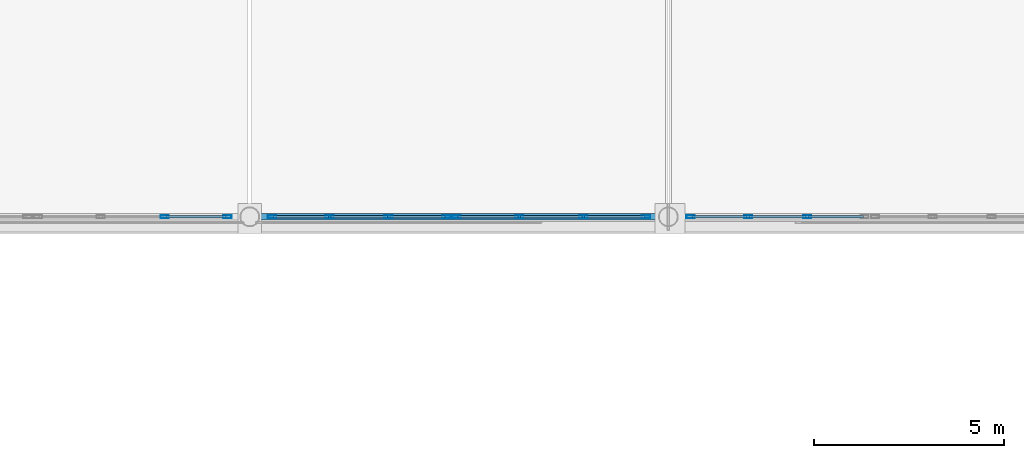
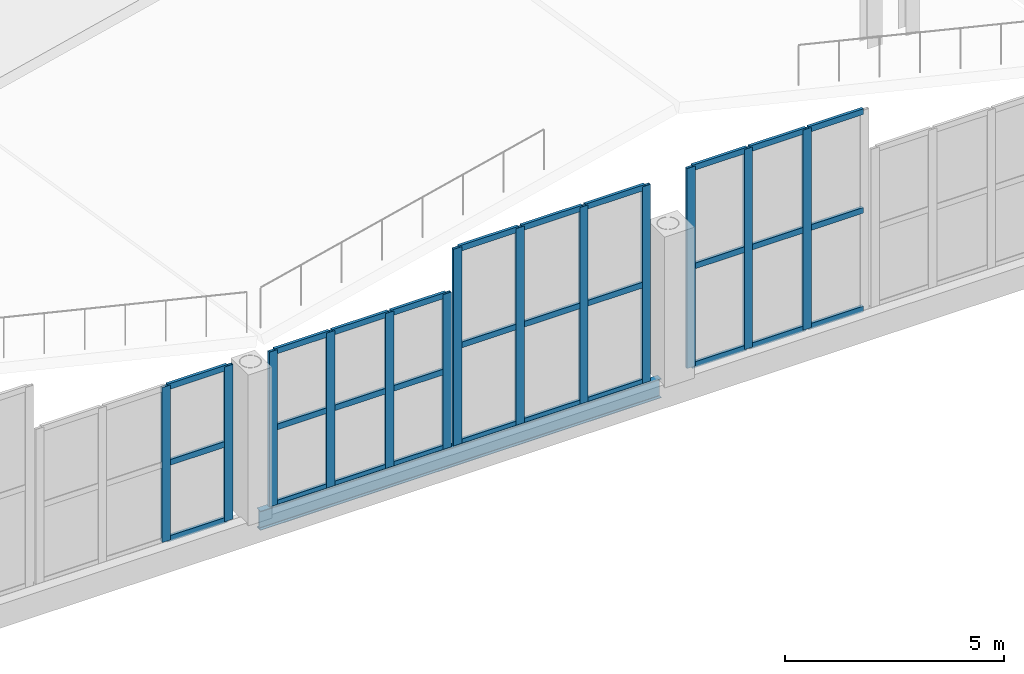
# One storey, part 33 of 120: 43 members, 1 beam, 4 elements without a shape of their own.
"""IFC4 building model written with IfcOpenShell, lengths in metres."""

import ifcopenshell
import ifcopenshell.guid

model = None  # the IFC model being written
_history = None  # IfcOwnerHistory: only IFC2X3 demands one
_inside = {}  # id of a spatial element -> (the spatial element, [elements in it])
_under = {}  # id of a project, library or spatial element -> (it, [spatial elements below it])
_declared = {}  # id of a project -> (the project, [libraries it declares])
_typed = {}  # id of a type object -> (the type object, [elements of that type])
_made_of = {}  # id of a material, layer set ... -> (it, [elements and type objects made of it])


def new_model(schema):
    """Start an empty IFC model of exactly this schema.

    Asked for "IFC4X3", IfcOpenShell would pick the latest addendum, in which some entities
    have other attributes; the version numbers below select the first issue.
    IFC2X3 requires an IfcOwnerHistory on every rooted entity: one is made here for all.
    """
    global model, _history
    if schema == "IFC4X3":
        model = ifcopenshell.file(schema_version=(4, 3, 0, 0))
    else:
        model = ifcopenshell.file(schema=schema)
    _inside.clear()
    _under.clear()
    _declared.clear()
    _typed.clear()
    _made_of.clear()
    _history = None
    if model.schema == "IFC2X3":
        org = make("IfcOrganization", Name="unknown")
        user = make(
            "IfcPersonAndOrganization",
            ThePerson=make("IfcPerson", FamilyName="unknown"),
            TheOrganization=org,
        )
        app = make(
            "IfcApplication",
            ApplicationDeveloper=org,
            Version="unknown",
            ApplicationFullName="unknown",
            ApplicationIdentifier="unknown",
        )
        _history = make(
            "IfcOwnerHistory",
            OwningUser=user,
            OwningApplication=app,
            ChangeAction="ADDED",
            CreationDate=0,
        )
    return model


def make(cls, **values):
    """One entity of the class cls with the attributes given. An attribute that is None is left unset."""
    return model.create_entity(
        cls, **{name: value for name, value in values.items() if value is not None}
    )


def rooted(cls, **values):
    """An entity with a GlobalId (a new one), such as an element, a storey or a relation."""
    return make(cls, GlobalId=ifcopenshell.guid.new(), OwnerHistory=_history, **values)


def si_unit(unit_type, name, prefix=None):
    """IfcSIUnit, for example si_unit("LENGTHUNIT", "METRE", prefix="MILLI")."""
    return make("IfcSIUnit", UnitType=unit_type, Prefix=prefix, Name=name)


def assignment(units):
    """IfcUnitAssignment: the units of a project."""
    return None if units is None else make("IfcUnitAssignment", Units=units)


def point(xyz):
    """IfcCartesianPoint."""
    return None if xyz is None else make("IfcCartesianPoint", Coordinates=xyz)


def direction(xyz):
    """IfcDirection."""
    return None if xyz is None else make("IfcDirection", DirectionRatios=xyz)


def frame(location, z_axis=None, x_axis=None):
    """IfcAxis2Placement3D, a coordinate frame: its origin and axes. An axis left out is left unset."""
    return make(
        "IfcAxis2Placement3D",
        Location=point(location),
        Axis=direction(z_axis),
        RefDirection=direction(x_axis),
    )


def frame_2d(location, x_axis=None):
    """IfcAxis2Placement2D, a coordinate frame in the plane: its origin and x axis."""
    return make(
        "IfcAxis2Placement2D", Location=point(location), RefDirection=direction(x_axis)
    )


def origin():
    """The frame at (0, 0, 0) with its axes left unset."""
    return frame((0.0, 0.0, 0.0))


def origin_2d():
    """The frame at (0, 0) in the plane with its x axis left unset."""
    return frame_2d((0.0, 0.0))


def place(relative_to, where):
    """IfcLocalPlacement: puts the frame where relative to a parent placement (None: the world)."""
    return make(
        "IfcLocalPlacement", PlacementRelTo=relative_to, RelativePlacement=where
    )


def context(
    kind, dimensions, precision=None, world=None, true_north=None, identifier=None
):
    """IfcGeometricRepresentationContext, for example the 3D "Model" context."""
    return make(
        "IfcGeometricRepresentationContext",
        ContextIdentifier=identifier,
        ContextType=kind,
        CoordinateSpaceDimension=dimensions,
        Precision=precision,
        WorldCoordinateSystem=world,
        TrueNorth=true_north,
    )


def subcontext(parent, identifier, kind, view, scale=None):
    """IfcGeometricRepresentationSubContext, for example "Body" below "Model"."""
    return make(
        "IfcGeometricRepresentationSubContext",
        ContextIdentifier=identifier,
        ContextType=kind,
        ParentContext=parent,
        TargetScale=scale,
        TargetView=view,
    )


def project(units=None, contexts=None):
    """IfcProject with its units and contexts."""
    return rooted(
        "IfcProject",
        Name="project",
        RepresentationContexts=contexts,
        UnitsInContext=assignment(units),
    )


def spatial(cls, under=None, at=None, **own):
    """A site, building, storey or space (cls), placed at a placement, below another one or the project."""
    s = rooted(cls, ObjectPlacement=at, **own)
    if under is not None:
        _under.setdefault(under.id(), (under, []))[1].append(s)
    return s


def profile(cls, at=None, kind="AREA", **sizes):
    """A parametric profile (cls). Its sizes go by their IFC names, for example OverallWidth=200.0."""
    return make(cls, ProfileType=kind, Position=at, **sizes)


def hollow_rectangle(**sizes):
    """IfcRectangleHollowProfileDef."""
    return profile("IfcRectangleHollowProfileDef", **sizes)


def i_section(**sizes):
    """IfcIShapeProfileDef."""
    return profile("IfcIShapeProfileDef", **sizes)


def extrude(swept, where, along, depth):
    """IfcExtrudedAreaSolid: the profile swept, set in the frame where, extruded along a direction by depth."""
    return make(
        "IfcExtrudedAreaSolid",
        SweptArea=swept,
        Position=where,
        ExtrudedDirection=direction(along),
        Depth=depth,
    )


def shape(context_of_items, identifier, shape_type, items):
    """IfcShapeRepresentation: the items that make up one representation, for example the "Body"."""
    return make(
        "IfcShapeRepresentation",
        ContextOfItems=context_of_items,
        RepresentationIdentifier=identifier,
        RepresentationType=shape_type,
        Items=items,
    )


def material(Name=None, Category=None):
    """IfcMaterial."""
    return make("IfcMaterial", Name=Name, Category=Category)


def material_profile(
    of_material, cross_section, Name=None, Category=None, Priority=None
):
    """IfcMaterialProfile: a cross section and its material."""
    return make(
        "IfcMaterialProfile",
        Name=Name,
        Material=of_material,
        Profile=cross_section,
        Priority=Priority,
        Category=Category,
    )


def profile_set(profiles, Name=None, composite=None):
    """IfcMaterialProfileSet."""
    return make(
        "IfcMaterialProfileSet",
        Name=Name,
        MaterialProfiles=profiles,
        CompositeProfile=composite,
    )


def made_of(thing, what):
    """Note that an element or type object is made of a material, layer set ...; save() writes the relation."""
    if what is not None:
        _made_of.setdefault(what.id(), (what, []))[1].append(thing)
    return thing


def type_object(cls, material=None, **own):
    """A type object (cls), such as IfcWallType, which elements share."""
    return made_of(rooted(cls, **own), material)


def element(
    cls,
    number,
    at=None,
    inside=None,
    cuts=None,
    type_object=None,
    material=None,
    context=None,
    identifier="Body",
    shape_type=None,
    held_by="IfcProductDefinitionShape",
    body=None,
    shapes=None,
    **own,
):
    """One element of the class cls, such as IfcWall. Its Tag is "e" and its number.

    at: its placement. inside: the storey or other place that contains it. cuts: it is an
    opening in that element (IfcRelVoidsElement). A single representation is given by context,
    identifier, shape_type and body (its items); several are given by shapes. held_by: the class
    of the entity that holds the representations. save() writes the other relations.
    """
    e = rooted(cls, Tag="e%d" % number, ObjectPlacement=at, **own)
    if body is not None:
        shapes = [shape(context, identifier, shape_type, body)]
    if shapes is not None:
        e.Representation = make(held_by, Representations=shapes)
    if inside is not None:
        _inside.setdefault(inside.id(), (inside, []))[1].append(e)
    if cuts is not None:
        rooted(
            "IfcRelVoidsElement", RelatingBuildingElement=cuts, RelatedOpeningElement=e
        )
    if type_object is not None:
        _typed.setdefault(type_object.id(), (type_object, []))[1].append(e)
    return made_of(e, material)


def aggregate(whole, parts):
    """IfcRelAggregates: a whole, such as a stair, and the parts it consists of."""
    return rooted("IfcRelAggregates", RelatingObject=whole, RelatedObjects=parts)


def save(model, path):
    """Write the relations noted so far, then the file.

    IfcRelAggregates (storeys below a building ...), IfcRelContainedInSpatialStructure (elements
    in a storey), IfcRelDefinesByType, IfcRelAssociatesMaterial and IfcRelDeclares: one each for
    every whole, place, type object, material and project.
    """
    for whole, parts in _under.values():
        aggregate(whole, parts)
    for where, things in _inside.values():
        rooted(
            "IfcRelContainedInSpatialStructure",
            RelatedElements=things,
            RelatingStructure=where,
        )
    for kind, things in _typed.values():
        rooted("IfcRelDefinesByType", RelatedObjects=things, RelatingType=kind)
    for what, things in _made_of.values():
        rooted("IfcRelAssociatesMaterial", RelatedObjects=things, RelatingMaterial=what)
    for by, libraries in _declared.values():
        rooted("IfcRelDeclares", RelatingContext=by, RelatedDefinitions=libraries)
    model.write(path)


model = new_model("IFC4")

# Units and contexts
model_context = context("Model", 3, precision=1e-05, world=origin(), true_north=direction((0.0, 1.0)))
body_context = subcontext(model_context, "Body", "Model", "MODEL_VIEW")
ifc_project = project(units=[si_unit("LENGTHUNIT", "METRE"), si_unit("AREAUNIT", "SQUARE_METRE"), si_unit("VOLUMEUNIT", "CUBIC_METRE"), si_unit("PLANEANGLEUNIT", "RADIAN"), si_unit("MASSUNIT", "GRAM", prefix="KILO")], contexts=[model_context])

# Site, building, storey
site_placement = place(None, origin())
site = spatial("IfcSite", under=ifc_project, at=site_placement, CompositionType="ELEMENT")
building_placement = place(site_placement, origin())
building = spatial("IfcBuilding", under=site, at=building_placement, Name="Caurita Quay Ferry Terminal", CompositionType="ELEMENT")
storey_placement = place(building_placement, frame((0.0, 0.0, 9.89990234375)))
storey = spatial("IfcBuildingStorey", under=building, at=storey_placement, Name="L02", CompositionType="ELEMENT", Elevation=9.89990234375)

# Beam
ifc_material_1 = material(Name="Structural steel ASTM A992 Gr. 50", Category="steel")
ifc_material_profile_1 = material_profile(ifc_material_1, i_section(OverallWidth=0.16650390625, OverallDepth=0.535888671875, WebThickness=0.01025390625, FlangeThickness=0.0166015625, FilletRadius=0.013916015625, at=origin_2d()), Name="W21X57")
ifc_profile_set_1 = profile_set([ifc_material_profile_1], Name="Structural steel ASTM A992 Gr. 50")
beam_type = type_object("IfcBeamType", Name="BM-SP-W21B", PredefinedType="SPANDREL", material=ifc_profile_set_1)
beam_placement = place(storey_placement, frame((66.219970703125, 34.60009765625, -0.267822265625), z_axis=(1.0, 0.0, 0.0), x_axis=(0.0, 1.0, 0.0)))
element("IfcBeam", 1, at=beam_placement, inside=storey, type_object=beam_type, Name="V1 Waterside Clerestory Sill Spandrel 66", PredefinedType="SPANDREL", context=body_context, shape_type="SweptSolid", body=[
    extrude(i_section(OverallWidth=0.16650390625, OverallDepth=0.535888671875, WebThickness=0.01025390625, FlangeThickness=0.0166015625, FilletRadius=0.013916015625, at=origin_2d()), origin(), (0.0, 0.0, 1.0), 10.56005859375),
])

# Curtain wall, members
ifc_material_2 = material(Name="Laminated solar-control insulated glass", Category="glass")
curtain_wall_type_1 = type_object("IfcCurtainWallType", Name="CW-SYS-04", PredefinedType="NOTDEFINED", material=ifc_material_2)
curtain_wall_1_placement = place(storey_placement, origin())
curtain_wall_1 = element("IfcCurtainWall", 2, at=curtain_wall_1_placement, inside=storey, type_object=curtain_wall_type_1, Name="Folded Roof Clerestory FB-03-S4", PredefinedType="NOTDEFINED")
ifc_material_3 = material(Name="Anodized aluminium 6063-T6", Category="aluminium")
ifc_material_profile_2 = material_profile(ifc_material_3, hollow_rectangle(XDim=0.074951171875, YDim=0.219970703125, WallThickness=0.00390625, at=origin_2d()), Name="ALU-MUL-75X220")
ifc_profile_set_2 = profile_set([ifc_material_profile_2], Name="Anodized aluminium 6063-T6")
member_type_1 = type_object("IfcMemberType", Name="CW-MUL-220", PredefinedType="MULLION", material=ifc_profile_set_2)
member_1_placement = place(storey_placement, frame((63.7666015625, 34.60009765625, 0.0), z_axis=(0.0, 0.0, 1.0), x_axis=(0.0, 1.0, 0.0)))
member_1 = element("IfcMember", 3, at=member_1_placement, type_object=member_type_1, Name="CW-CLR-020 Mullion 3", PredefinedType="MULLION", context=body_context, shape_type="SweptSolid", body=[
    extrude(hollow_rectangle(XDim=0.074951171875, YDim=0.219970703125, WallThickness=0.00390625, at=origin_2d()), origin(), (0.0, 0.0, 1.0), 4.31298828125),
])
member_2_placement = place(storey_placement, frame((65.41259765625, 34.60009765625, 0.0), z_axis=(0.0, 0.0, 1.0), x_axis=(0.0, 1.0, 0.0)))
member_2 = element("IfcMember", 4, at=member_2_placement, type_object=member_type_1, Name="CW-CLR-020 Mullion 4", PredefinedType="MULLION", context=body_context, shape_type="SweptSolid", body=[
    extrude(hollow_rectangle(XDim=0.074951171875, YDim=0.219970703125, WallThickness=0.00390625, at=origin_2d()), origin(), (0.0, 0.0, 1.0), 4.31298828125),
])

curtain_wall_type_2 = type_object("IfcCurtainWallType", Name="CW-SYS-01", PredefinedType="NOTDEFINED", material=ifc_material_2)
curtain_wall_2_placement = place(storey_placement, origin())
curtain_wall_2 = element("IfcCurtainWall", 5, at=curtain_wall_2_placement, inside=storey, type_object=curtain_wall_type_2, Name="Folded Roof Clerestory FB-04-S1", PredefinedType="NOTDEFINED")
member_3_placement = place(storey_placement, frame((66.58740234375, 34.60009765625, 0.0), z_axis=(0.0, 0.0, 1.0), x_axis=(0.0, 1.0, 0.0)))
member_3 = element("IfcMember", 6, at=member_3_placement, type_object=member_type_1, Name="CW-CLR-025 Mullion 1", PredefinedType="MULLION", context=body_context, shape_type="SweptSolid", body=[
    extrude(hollow_rectangle(XDim=0.074951171875, YDim=0.219970703125, WallThickness=0.00390625, at=origin_2d()), origin(), (0.0, 0.0, 1.0), 4.31298828125),
])
member_4_placement = place(storey_placement, frame((68.10009765625, 34.60009765625, 0.0), z_axis=(0.0, 0.0, 1.0), x_axis=(0.0, 1.0, 0.0)))
member_4 = element("IfcMember", 7, at=member_4_placement, type_object=member_type_1, Name="CW-CLR-025 Mullion 2", PredefinedType="MULLION", context=body_context, shape_type="SweptSolid", body=[
    extrude(hollow_rectangle(XDim=0.074951171875, YDim=0.219970703125, WallThickness=0.00390625, at=origin_2d()), origin(), (0.0, 0.0, 1.0), 4.31298828125),
])
member_5_placement = place(storey_placement, frame((69.64990234375, 34.60009765625, 0.0), z_axis=(0.0, 0.0, 1.0), x_axis=(0.0, 1.0, 0.0)))
member_5 = element("IfcMember", 8, at=member_5_placement, type_object=member_type_1, Name="CW-CLR-025 Mullion 3", PredefinedType="MULLION", context=body_context, shape_type="SweptSolid", body=[
    extrude(hollow_rectangle(XDim=0.074951171875, YDim=0.219970703125, WallThickness=0.00390625, at=origin_2d()), origin(), (0.0, 0.0, 1.0), 4.31298828125),
])
member_6_placement = place(storey_placement, frame((71.16259765625, 34.60009765625, 0.0), z_axis=(0.0, 0.0, 1.0), x_axis=(0.0, 1.0, 0.0)))
member_6 = element("IfcMember", 9, at=member_6_placement, type_object=member_type_1, Name="CW-CLR-025 Mullion 4", PredefinedType="MULLION", context=body_context, shape_type="SweptSolid", body=[
    extrude(hollow_rectangle(XDim=0.074951171875, YDim=0.219970703125, WallThickness=0.00390625, at=origin_2d()), origin(), (0.0, 0.0, 1.0), 4.31298828125),
])

curtain_wall_type_3 = type_object("IfcCurtainWallType", Name="CW-SYS-02", PredefinedType="NOTDEFINED", material=ifc_material_2)
curtain_wall_3_placement = place(storey_placement, origin())
curtain_wall_3 = element("IfcCurtainWall", 10, at=curtain_wall_3_placement, inside=storey, type_object=curtain_wall_type_3, Name="Folded Roof Clerestory FB-04-S2", PredefinedType="NOTDEFINED")
member_7_placement = place(storey_placement, frame((71.4375, 34.60009765625, 0.0), z_axis=(0.0, 0.0, 1.0), x_axis=(0.0, 1.0, 0.0)))
member_7 = element("IfcMember", 11, at=member_7_placement, type_object=member_type_1, Name="CW-CLR-026 Mullion 1", PredefinedType="MULLION", context=body_context, shape_type="SweptSolid", body=[
    extrude(hollow_rectangle(XDim=0.074951171875, YDim=0.219970703125, WallThickness=0.00390625, at=origin_2d()), origin(), (0.0, 0.0, 1.0), 5.47705078125),
])
member_8_placement = place(storey_placement, frame((73.083251953125, 34.60009765625, 0.0), z_axis=(0.0, 0.0, 1.0), x_axis=(0.0, 1.0, 0.0)))
member_8 = element("IfcMember", 12, at=member_8_placement, type_object=member_type_1, Name="CW-CLR-026 Mullion 2", PredefinedType="MULLION", context=body_context, shape_type="SweptSolid", body=[
    extrude(hollow_rectangle(XDim=0.074951171875, YDim=0.219970703125, WallThickness=0.00390625, at=origin_2d()), origin(), (0.0, 0.0, 1.0), 5.47705078125),
])
member_9_placement = place(storey_placement, frame((74.7666015625, 34.60009765625, 0.0), z_axis=(0.0, 0.0, 1.0), x_axis=(0.0, 1.0, 0.0)))
member_9 = element("IfcMember", 13, at=member_9_placement, type_object=member_type_1, Name="CW-CLR-026 Mullion 3", PredefinedType="MULLION", context=body_context, shape_type="SweptSolid", body=[
    extrude(hollow_rectangle(XDim=0.074951171875, YDim=0.219970703125, WallThickness=0.00390625, at=origin_2d()), origin(), (0.0, 0.0, 1.0), 5.47705078125),
])
member_10_placement = place(storey_placement, frame((76.41259765625, 34.60009765625, 0.0), z_axis=(0.0, 0.0, 1.0), x_axis=(0.0, 1.0, 0.0)))
member_10 = element("IfcMember", 14, at=member_10_placement, type_object=member_type_1, Name="CW-CLR-026 Mullion 4", PredefinedType="MULLION", context=body_context, shape_type="SweptSolid", body=[
    extrude(hollow_rectangle(XDim=0.074951171875, YDim=0.219970703125, WallThickness=0.00390625, at=origin_2d()), origin(), (0.0, 0.0, 1.0), 5.47705078125),
])

curtain_wall_type_4 = type_object("IfcCurtainWallType", Name="CW-SYS-03", PredefinedType="NOTDEFINED", material=ifc_material_2)
curtain_wall_4_placement = place(storey_placement, origin())
curtain_wall_4 = element("IfcCurtainWall", 15, at=curtain_wall_4_placement, inside=storey, type_object=curtain_wall_type_4, Name="Folded Roof Clerestory FB-04-S3", PredefinedType="NOTDEFINED")
member_11_placement = place(storey_placement, frame((77.58740234375, 34.60009765625, 0.0), z_axis=(0.0, 0.0, 1.0), x_axis=(0.0, 1.0, 0.0)))
member_11 = element("IfcMember", 16, at=member_11_placement, type_object=member_type_1, Name="CW-CLR-027 Mullion 1", PredefinedType="MULLION", context=body_context, shape_type="SweptSolid", body=[
    extrude(hollow_rectangle(XDim=0.074951171875, YDim=0.219970703125, WallThickness=0.00390625, at=origin_2d()), origin(), (0.0, 0.0, 1.0), 5.572998046875),
])
member_12_placement = place(storey_placement, frame((79.10009765625, 34.60009765625, 0.0), z_axis=(0.0, 0.0, 1.0), x_axis=(0.0, 1.0, 0.0)))
member_12 = element("IfcMember", 17, at=member_12_placement, type_object=member_type_1, Name="CW-CLR-027 Mullion 2", PredefinedType="MULLION", context=body_context, shape_type="SweptSolid", body=[
    extrude(hollow_rectangle(XDim=0.074951171875, YDim=0.219970703125, WallThickness=0.00390625, at=origin_2d()), origin(), (0.0, 0.0, 1.0), 5.572998046875),
])
member_13_placement = place(storey_placement, frame((80.64990234375, 34.60009765625, 0.0), z_axis=(0.0, 0.0, 1.0), x_axis=(0.0, 1.0, 0.0)))
member_13 = element("IfcMember", 18, at=member_13_placement, type_object=member_type_1, Name="CW-CLR-027 Mullion 3", PredefinedType="MULLION", context=body_context, shape_type="SweptSolid", body=[
    extrude(hollow_rectangle(XDim=0.074951171875, YDim=0.219970703125, WallThickness=0.00390625, at=origin_2d()), origin(), (0.0, 0.0, 1.0), 5.572998046875),
])

# Member
ifc_material_profile_3 = material_profile(ifc_material_3, hollow_rectangle(XDim=0.074951171875, YDim=0.159912109375, WallThickness=0.00390625, at=origin_2d()), Name="ALU-TRN-75X160")
ifc_profile_set_3 = profile_set([ifc_material_profile_3], Name="Anodized aluminium 6063-T6")
member_type_2 = type_object("IfcMemberType", Name="CW-TRN-160", PredefinedType="USERDEFINED", material=ifc_profile_set_3)
member_14_placement = place(storey_placement, frame((63.80224609375, 34.60009765625, 0.03759765625), z_axis=(1.0, 0.0, 0.0), x_axis=(0.0, 1.0, 0.0)))
member_14 = element("IfcMember", 19, at=member_14_placement, type_object=member_type_2, Name="CW-CLR-020 Transom 7", ObjectType="TRANSOM", PredefinedType="USERDEFINED", context=body_context, shape_type="SweptSolid", body=[
    extrude(hollow_rectangle(XDim=0.074951171875, YDim=0.159912109375, WallThickness=0.00390625, at=origin_2d()), origin(), (0.0, 0.0, 1.0), 1.57470703125),
])

member_15_placement = place(storey_placement, frame((63.80224609375, 34.60009765625, 2.156494140625), z_axis=(1.0, 0.0, 0.0), x_axis=(0.0, 1.0, 0.0)))
member_15 = element("IfcMember", 20, at=member_15_placement, type_object=member_type_2, Name="CW-CLR-020 Transom 8", ObjectType="TRANSOM", PredefinedType="USERDEFINED", context=body_context, shape_type="SweptSolid", body=[
    extrude(hollow_rectangle(XDim=0.074951171875, YDim=0.159912109375, WallThickness=0.00390625, at=origin_2d()), origin(), (0.0, 0.0, 1.0), 1.57470703125),
])

member_16_placement = place(storey_placement, frame((63.80224609375, 34.60009765625, 4.275634765625), z_axis=(1.0, 0.0, 0.0), x_axis=(0.0, 1.0, 0.0)))
member_16 = element("IfcMember", 21, at=member_16_placement, type_object=member_type_2, Name="CW-CLR-020 Transom 9", ObjectType="TRANSOM", PredefinedType="USERDEFINED", context=body_context, shape_type="SweptSolid", body=[
    extrude(hollow_rectangle(XDim=0.074951171875, YDim=0.159912109375, WallThickness=0.00390625, at=origin_2d()), origin(), (0.0, 0.0, 1.0), 1.57470703125),
])

aggregate(curtain_wall_1, [member_1, member_2, member_14, member_15, member_16])

member_17_placement = place(storey_placement, frame((66.623046875, 34.60009765625, 0.03759765625), z_axis=(1.0, 0.0, 0.0), x_axis=(0.0, 1.0, 0.0)))
member_17 = element("IfcMember", 22, at=member_17_placement, type_object=member_type_2, Name="CW-CLR-025 Transom 1", ObjectType="TRANSOM", PredefinedType="USERDEFINED", context=body_context, shape_type="SweptSolid", body=[
    extrude(hollow_rectangle(XDim=0.074951171875, YDim=0.159912109375, WallThickness=0.00390625, at=origin_2d()), origin(), (0.0, 0.0, 1.0), 1.44140625),
])

member_18_placement = place(storey_placement, frame((66.623046875, 34.60009765625, 2.156494140625), z_axis=(1.0, 0.0, 0.0), x_axis=(0.0, 1.0, 0.0)))
member_18 = element("IfcMember", 23, at=member_18_placement, type_object=member_type_2, Name="CW-CLR-025 Transom 2", ObjectType="TRANSOM", PredefinedType="USERDEFINED", context=body_context, shape_type="SweptSolid", body=[
    extrude(hollow_rectangle(XDim=0.074951171875, YDim=0.159912109375, WallThickness=0.00390625, at=origin_2d()), origin(), (0.0, 0.0, 1.0), 1.44140625),
])

member_19_placement = place(storey_placement, frame((66.623046875, 34.60009765625, 4.275634765625), z_axis=(1.0, 0.0, 0.0), x_axis=(0.0, 1.0, 0.0)))
member_19 = element("IfcMember", 24, at=member_19_placement, type_object=member_type_2, Name="CW-CLR-025 Transom 3", ObjectType="TRANSOM", PredefinedType="USERDEFINED", context=body_context, shape_type="SweptSolid", body=[
    extrude(hollow_rectangle(XDim=0.074951171875, YDim=0.159912109375, WallThickness=0.00390625, at=origin_2d()), origin(), (0.0, 0.0, 1.0), 1.44140625),
])

member_20_placement = place(storey_placement, frame((68.135498046875, 34.60009765625, 0.03759765625), z_axis=(1.0, 0.0, 0.0), x_axis=(0.0, 1.0, 0.0)))
member_20 = element("IfcMember", 25, at=member_20_placement, type_object=member_type_2, Name="CW-CLR-025 Transom 4", ObjectType="TRANSOM", PredefinedType="USERDEFINED", context=body_context, shape_type="SweptSolid", body=[
    extrude(hollow_rectangle(XDim=0.074951171875, YDim=0.159912109375, WallThickness=0.00390625, at=origin_2d()), origin(), (0.0, 0.0, 1.0), 1.47900390625),
])

member_21_placement = place(storey_placement, frame((68.135498046875, 34.60009765625, 2.156494140625), z_axis=(1.0, 0.0, 0.0), x_axis=(0.0, 1.0, 0.0)))
member_21 = element("IfcMember", 26, at=member_21_placement, type_object=member_type_2, Name="CW-CLR-025 Transom 5", ObjectType="TRANSOM", PredefinedType="USERDEFINED", context=body_context, shape_type="SweptSolid", body=[
    extrude(hollow_rectangle(XDim=0.074951171875, YDim=0.159912109375, WallThickness=0.00390625, at=origin_2d()), origin(), (0.0, 0.0, 1.0), 1.47900390625),
])

member_22_placement = place(storey_placement, frame((68.135498046875, 34.60009765625, 4.275634765625), z_axis=(1.0, 0.0, 0.0), x_axis=(0.0, 1.0, 0.0)))
member_22 = element("IfcMember", 27, at=member_22_placement, type_object=member_type_2, Name="CW-CLR-025 Transom 6", ObjectType="TRANSOM", PredefinedType="USERDEFINED", context=body_context, shape_type="SweptSolid", body=[
    extrude(hollow_rectangle(XDim=0.074951171875, YDim=0.159912109375, WallThickness=0.00390625, at=origin_2d()), origin(), (0.0, 0.0, 1.0), 1.47900390625),
])

member_23_placement = place(storey_placement, frame((69.685546875, 34.60009765625, 0.03759765625), z_axis=(1.0, 0.0, 0.0), x_axis=(0.0, 1.0, 0.0)))
member_23 = element("IfcMember", 28, at=member_23_placement, type_object=member_type_2, Name="CW-CLR-025 Transom 7", ObjectType="TRANSOM", PredefinedType="USERDEFINED", context=body_context, shape_type="SweptSolid", body=[
    extrude(hollow_rectangle(XDim=0.074951171875, YDim=0.159912109375, WallThickness=0.00390625, at=origin_2d()), origin(), (0.0, 0.0, 1.0), 1.44140625),
])

member_24_placement = place(storey_placement, frame((69.685546875, 34.60009765625, 2.156494140625), z_axis=(1.0, 0.0, 0.0), x_axis=(0.0, 1.0, 0.0)))
member_24 = element("IfcMember", 29, at=member_24_placement, type_object=member_type_2, Name="CW-CLR-025 Transom 8", ObjectType="TRANSOM", PredefinedType="USERDEFINED", context=body_context, shape_type="SweptSolid", body=[
    extrude(hollow_rectangle(XDim=0.074951171875, YDim=0.159912109375, WallThickness=0.00390625, at=origin_2d()), origin(), (0.0, 0.0, 1.0), 1.44140625),
])

member_25_placement = place(storey_placement, frame((69.685546875, 34.60009765625, 4.275634765625), z_axis=(1.0, 0.0, 0.0), x_axis=(0.0, 1.0, 0.0)))
member_25 = element("IfcMember", 30, at=member_25_placement, type_object=member_type_2, Name="CW-CLR-025 Transom 9", ObjectType="TRANSOM", PredefinedType="USERDEFINED", context=body_context, shape_type="SweptSolid", body=[
    extrude(hollow_rectangle(XDim=0.074951171875, YDim=0.159912109375, WallThickness=0.00390625, at=origin_2d()), origin(), (0.0, 0.0, 1.0), 1.44140625),
])

aggregate(curtain_wall_2, [member_3, member_4, member_5, member_6, member_17, member_18, member_19, member_20, member_21, member_22, member_23, member_24, member_25])

member_26_placement = place(storey_placement, frame((71.472900390625, 34.60009765625, 0.03759765625), z_axis=(1.0, 0.0, 0.0), x_axis=(0.0, 1.0, 0.0)))
member_26 = element("IfcMember", 31, at=member_26_placement, type_object=member_type_2, Name="CW-CLR-026 Transom 1", ObjectType="TRANSOM", PredefinedType="USERDEFINED", context=body_context, shape_type="SweptSolid", body=[
    extrude(hollow_rectangle(XDim=0.074951171875, YDim=0.159912109375, WallThickness=0.00390625, at=origin_2d()), origin(), (0.0, 0.0, 1.0), 1.574951171875),
])

member_27_placement = place(storey_placement, frame((71.472900390625, 34.60009765625, 2.738525390625), z_axis=(1.0, 0.0, 0.0), x_axis=(0.0, 1.0, 0.0)))
member_27 = element("IfcMember", 32, at=member_27_placement, type_object=member_type_2, Name="CW-CLR-026 Transom 2", ObjectType="TRANSOM", PredefinedType="USERDEFINED", context=body_context, shape_type="SweptSolid", body=[
    extrude(hollow_rectangle(XDim=0.074951171875, YDim=0.159912109375, WallThickness=0.00390625, at=origin_2d()), origin(), (0.0, 0.0, 1.0), 1.574951171875),
])

member_28_placement = place(storey_placement, frame((71.472900390625, 34.60009765625, 5.439697265625), z_axis=(1.0, 0.0, 0.0), x_axis=(0.0, 1.0, 0.0)))
member_28 = element("IfcMember", 33, at=member_28_placement, type_object=member_type_2, Name="CW-CLR-026 Transom 3", ObjectType="TRANSOM", PredefinedType="USERDEFINED", context=body_context, shape_type="SweptSolid", body=[
    extrude(hollow_rectangle(XDim=0.074951171875, YDim=0.159912109375, WallThickness=0.00390625, at=origin_2d()), origin(), (0.0, 0.0, 1.0), 1.574951171875),
])

member_29_placement = place(storey_placement, frame((73.118896484375, 34.60009765625, 0.03759765625), z_axis=(1.0, 0.0, 0.0), x_axis=(0.0, 1.0, 0.0)))
member_29 = element("IfcMember", 34, at=member_29_placement, type_object=member_type_2, Name="CW-CLR-026 Transom 4", ObjectType="TRANSOM", PredefinedType="USERDEFINED", context=body_context, shape_type="SweptSolid", body=[
    extrude(hollow_rectangle(XDim=0.074951171875, YDim=0.159912109375, WallThickness=0.00390625, at=origin_2d()), origin(), (0.0, 0.0, 1.0), 1.6123046875),
])

member_30_placement = place(storey_placement, frame((73.118896484375, 34.60009765625, 2.738525390625), z_axis=(1.0, 0.0, 0.0), x_axis=(0.0, 1.0, 0.0)))
member_30 = element("IfcMember", 35, at=member_30_placement, type_object=member_type_2, Name="CW-CLR-026 Transom 5", ObjectType="TRANSOM", PredefinedType="USERDEFINED", context=body_context, shape_type="SweptSolid", body=[
    extrude(hollow_rectangle(XDim=0.074951171875, YDim=0.159912109375, WallThickness=0.00390625, at=origin_2d()), origin(), (0.0, 0.0, 1.0), 1.6123046875),
])

member_31_placement = place(storey_placement, frame((73.118896484375, 34.60009765625, 5.439697265625), z_axis=(1.0, 0.0, 0.0), x_axis=(0.0, 1.0, 0.0)))
member_31 = element("IfcMember", 36, at=member_31_placement, type_object=member_type_2, Name="CW-CLR-026 Transom 6", ObjectType="TRANSOM", PredefinedType="USERDEFINED", context=body_context, shape_type="SweptSolid", body=[
    extrude(hollow_rectangle(XDim=0.074951171875, YDim=0.159912109375, WallThickness=0.00390625, at=origin_2d()), origin(), (0.0, 0.0, 1.0), 1.6123046875),
])

member_32_placement = place(storey_placement, frame((74.80224609375, 34.60009765625, 0.03759765625), z_axis=(1.0, 0.0, 0.0), x_axis=(0.0, 1.0, 0.0)))
member_32 = element("IfcMember", 37, at=member_32_placement, type_object=member_type_2, Name="CW-CLR-026 Transom 7", ObjectType="TRANSOM", PredefinedType="USERDEFINED", context=body_context, shape_type="SweptSolid", body=[
    extrude(hollow_rectangle(XDim=0.074951171875, YDim=0.159912109375, WallThickness=0.00390625, at=origin_2d()), origin(), (0.0, 0.0, 1.0), 1.57470703125),
])

member_33_placement = place(storey_placement, frame((74.80224609375, 34.60009765625, 2.738525390625), z_axis=(1.0, 0.0, 0.0), x_axis=(0.0, 1.0, 0.0)))
member_33 = element("IfcMember", 38, at=member_33_placement, type_object=member_type_2, Name="CW-CLR-026 Transom 8", ObjectType="TRANSOM", PredefinedType="USERDEFINED", context=body_context, shape_type="SweptSolid", body=[
    extrude(hollow_rectangle(XDim=0.074951171875, YDim=0.159912109375, WallThickness=0.00390625, at=origin_2d()), origin(), (0.0, 0.0, 1.0), 1.57470703125),
])

member_34_placement = place(storey_placement, frame((74.80224609375, 34.60009765625, 5.439697265625), z_axis=(1.0, 0.0, 0.0), x_axis=(0.0, 1.0, 0.0)))
member_34 = element("IfcMember", 39, at=member_34_placement, type_object=member_type_2, Name="CW-CLR-026 Transom 9", ObjectType="TRANSOM", PredefinedType="USERDEFINED", context=body_context, shape_type="SweptSolid", body=[
    extrude(hollow_rectangle(XDim=0.074951171875, YDim=0.159912109375, WallThickness=0.00390625, at=origin_2d()), origin(), (0.0, 0.0, 1.0), 1.57470703125),
])

aggregate(curtain_wall_3, [member_7, member_8, member_9, member_10, member_26, member_27, member_28, member_29, member_30, member_31, member_32, member_33, member_34])

member_35_placement = place(storey_placement, frame((77.623046875, 34.60009765625, 0.03759765625), z_axis=(1.0, 0.0, 0.0), x_axis=(0.0, 1.0, 0.0)))
member_35 = element("IfcMember", 40, at=member_35_placement, type_object=member_type_2, Name="CW-CLR-027 Transom 1", ObjectType="TRANSOM", PredefinedType="USERDEFINED", context=body_context, shape_type="SweptSolid", body=[
    extrude(hollow_rectangle(XDim=0.074951171875, YDim=0.159912109375, WallThickness=0.00390625, at=origin_2d()), origin(), (0.0, 0.0, 1.0), 1.44140625),
])

member_36_placement = place(storey_placement, frame((77.623046875, 34.60009765625, 2.78662109375), z_axis=(1.0, 0.0, 0.0), x_axis=(0.0, 1.0, 0.0)))
member_36 = element("IfcMember", 41, at=member_36_placement, type_object=member_type_2, Name="CW-CLR-027 Transom 2", ObjectType="TRANSOM", PredefinedType="USERDEFINED", context=body_context, shape_type="SweptSolid", body=[
    extrude(hollow_rectangle(XDim=0.074951171875, YDim=0.159912109375, WallThickness=0.00390625, at=origin_2d()), origin(), (0.0, 0.0, 1.0), 1.44140625),
])

member_37_placement = place(storey_placement, frame((77.623046875, 34.60009765625, 5.53564453125), z_axis=(1.0, 0.0, 0.0), x_axis=(0.0, 1.0, 0.0)))
member_37 = element("IfcMember", 42, at=member_37_placement, type_object=member_type_2, Name="CW-CLR-027 Transom 3", ObjectType="TRANSOM", PredefinedType="USERDEFINED", context=body_context, shape_type="SweptSolid", body=[
    extrude(hollow_rectangle(XDim=0.074951171875, YDim=0.159912109375, WallThickness=0.00390625, at=origin_2d()), origin(), (0.0, 0.0, 1.0), 1.44140625),
])

member_38_placement = place(storey_placement, frame((79.135498046875, 34.60009765625, 0.03759765625), z_axis=(1.0, 0.0, 0.0), x_axis=(0.0, 1.0, 0.0)))
member_38 = element("IfcMember", 43, at=member_38_placement, type_object=member_type_2, Name="CW-CLR-027 Transom 4", ObjectType="TRANSOM", PredefinedType="USERDEFINED", context=body_context, shape_type="SweptSolid", body=[
    extrude(hollow_rectangle(XDim=0.074951171875, YDim=0.159912109375, WallThickness=0.00390625, at=origin_2d()), origin(), (0.0, 0.0, 1.0), 1.47900390625),
])

member_39_placement = place(storey_placement, frame((79.135498046875, 34.60009765625, 2.78662109375), z_axis=(1.0, 0.0, 0.0), x_axis=(0.0, 1.0, 0.0)))
member_39 = element("IfcMember", 44, at=member_39_placement, type_object=member_type_2, Name="CW-CLR-027 Transom 5", ObjectType="TRANSOM", PredefinedType="USERDEFINED", context=body_context, shape_type="SweptSolid", body=[
    extrude(hollow_rectangle(XDim=0.074951171875, YDim=0.159912109375, WallThickness=0.00390625, at=origin_2d()), origin(), (0.0, 0.0, 1.0), 1.47900390625),
])

member_40_placement = place(storey_placement, frame((79.135498046875, 34.60009765625, 5.53564453125), z_axis=(1.0, 0.0, 0.0), x_axis=(0.0, 1.0, 0.0)))
member_40 = element("IfcMember", 45, at=member_40_placement, type_object=member_type_2, Name="CW-CLR-027 Transom 6", ObjectType="TRANSOM", PredefinedType="USERDEFINED", context=body_context, shape_type="SweptSolid", body=[
    extrude(hollow_rectangle(XDim=0.074951171875, YDim=0.159912109375, WallThickness=0.00390625, at=origin_2d()), origin(), (0.0, 0.0, 1.0), 1.47900390625),
])

member_41_placement = place(storey_placement, frame((80.685546875, 34.60009765625, 0.03759765625), z_axis=(1.0, 0.0, 0.0), x_axis=(0.0, 1.0, 0.0)))
member_41 = element("IfcMember", 46, at=member_41_placement, type_object=member_type_2, Name="CW-CLR-027 Transom 7", ObjectType="TRANSOM", PredefinedType="USERDEFINED", context=body_context, shape_type="SweptSolid", body=[
    extrude(hollow_rectangle(XDim=0.074951171875, YDim=0.159912109375, WallThickness=0.00390625, at=origin_2d()), origin(), (0.0, 0.0, 1.0), 1.44140625),
])

member_42_placement = place(storey_placement, frame((80.685546875, 34.60009765625, 2.78662109375), z_axis=(1.0, 0.0, 0.0), x_axis=(0.0, 1.0, 0.0)))
member_42 = element("IfcMember", 47, at=member_42_placement, type_object=member_type_2, Name="CW-CLR-027 Transom 8", ObjectType="TRANSOM", PredefinedType="USERDEFINED", context=body_context, shape_type="SweptSolid", body=[
    extrude(hollow_rectangle(XDim=0.074951171875, YDim=0.159912109375, WallThickness=0.00390625, at=origin_2d()), origin(), (0.0, 0.0, 1.0), 1.44140625),
])

member_43_placement = place(storey_placement, frame((80.685546875, 34.60009765625, 5.53564453125), z_axis=(1.0, 0.0, 0.0), x_axis=(0.0, 1.0, 0.0)))
member_43 = element("IfcMember", 48, at=member_43_placement, type_object=member_type_2, Name="CW-CLR-027 Transom 9", ObjectType="TRANSOM", PredefinedType="USERDEFINED", context=body_context, shape_type="SweptSolid", body=[
    extrude(hollow_rectangle(XDim=0.074951171875, YDim=0.159912109375, WallThickness=0.00390625, at=origin_2d()), origin(), (0.0, 0.0, 1.0), 1.44140625),
])

aggregate(curtain_wall_4, [member_11, member_12, member_13, member_35, member_36, member_37, member_38, member_39, member_40, member_41, member_42, member_43])

save(model, "model.ifc")
